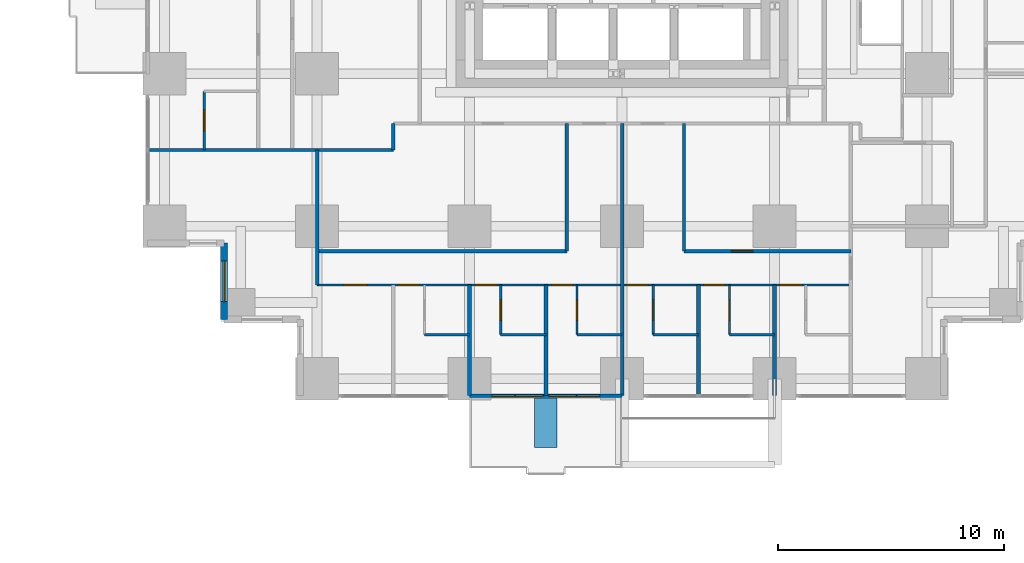
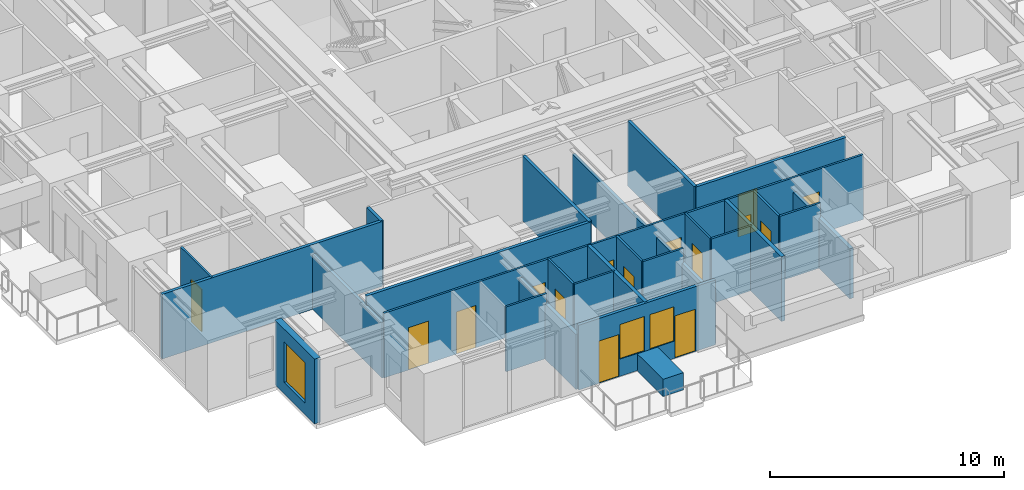
# One storey, part 8 of 14: 26 walls, 15 doors, 3 windows, 18 openings.
"""IFC4 building model written with IfcOpenShell, lengths in metres."""

from ifc_helpers import new_model, si_unit, direction, frame, frame_2d, origin, place, context, subcontext, project, spatial, rectangle, extrude, material, layer, layer_set, type_object, element, fill, save


model = new_model("IFC4")

# Units and contexts
model_context = context("Model", 3, precision=1e-05, world=origin(), true_north=direction((0.0, 1.0)))
body_context = subcontext(model_context, "Body", "Model", "MODEL_VIEW")
ifc_project = project(units=[si_unit("LENGTHUNIT", "METRE"), si_unit("AREAUNIT", "SQUARE_METRE"), si_unit("VOLUMEUNIT", "CUBIC_METRE"), si_unit("PLANEANGLEUNIT", "RADIAN"), si_unit("MASSUNIT", "GRAM", prefix="KILO")], contexts=[model_context])

# Site, building, storey
site_placement = place(None, origin())
site = spatial("IfcSite", under=ifc_project, at=site_placement, CompositionType="ELEMENT")
building_placement = place(site_placement, origin())
building = spatial("IfcBuilding", under=site, at=building_placement, Name="Nyansa Garden Tower", CompositionType="ELEMENT")
storey_placement = place(building_placement, frame((0.0, 0.0, 18.0)))
storey = spatial("IfcBuildingStorey", under=building, at=storey_placement, Name="L04", CompositionType="ELEMENT", Elevation=18.0)

# Walls
ifc_material_1 = material(Name="Dense blockwork, plastered both sides, 55 dB", Category="masonry")
ifc_layer_1 = layer(ifc_material_1, 0.175048828125)
ifc_layer_set_1 = layer_set([ifc_layer_1], Name="Acoustic party wall PW175")
wall_type_1 = type_object("IfcWallType", Name="Acoustic party wall PW175", PredefinedType="PARTITIONING", material=ifc_layer_set_1)
wall_1_placement = place(storey_placement, frame((13.5, -0.73388671875, 0.0), z_axis=(0.0, 0.0, 1.0), x_axis=(0.0, 1.0, 0.0)))
element("IfcWall", 1, at=wall_1_placement, inside=storey, type_object=wall_type_1, Name="Party wall", PredefinedType="PARTITIONING", context=body_context, shape_type="SweptSolid", body=[
    extrude(rectangle(XDim=4.8837890625, YDim=0.175048828125, at=frame_2d((2.44189453125, 0.0))), origin(), (0.0, 0.0, 1.0), 2.876953125),
])
for number, where, z_axis, x_axis, name in (
    (2, (16.875, -0.73388671875, 0.0), (0.0, 0.0, 1.0), (0.0, 1.0, 0.0), "Party wall"),
    (3, (23.625, -0.73388671875, 0.0), (0.0, 0.0, 1.0), (0.0, 1.0, 0.0), "Party wall"),
):
    element("IfcWall", number, at=place(storey_placement, frame(where, z_axis=z_axis, x_axis=x_axis)), inside=storey, type_object=wall_type_1, Name=name, PredefinedType="PARTITIONING", context=body_context, shape_type="SweptSolid", body=[
        extrude(rectangle(XDim=4.8837890625, YDim=0.175048828125, at=frame_2d((2.44189453125, 0.0))), origin(), (0.0, 0.0, 1.0), 3.375),
    ])
wall_2_placement = place(storey_placement, frame((27.0, -0.73388671875, 0.0), z_axis=(0.0, 0.0, 1.0), x_axis=(0.0, 1.0, 0.0)))
element("IfcWall", 4, at=wall_2_placement, inside=storey, type_object=wall_type_1, Name="Party wall", PredefinedType="PARTITIONING", context=body_context, shape_type="SweptSolid", body=[
    extrude(rectangle(XDim=4.8837890625, YDim=0.175048828125, at=frame_2d((2.44189453125, 0.0))), origin(), (0.0, 0.0, 1.0), 2.610107421875),
])

# Wall, openings, doors, windows
ifc_material_2 = material(Name="Black aluminium framed glazed screen", Category="aluminium")
ifc_layer_2 = layer(ifc_material_2, 0.14990234375)
ifc_layer_set_2 = layer_set([ifc_layer_2], Name="Balcony screen wall BW150")
wall_type_2 = type_object("IfcWallType", Name="Balcony screen wall BW150", PredefinedType="SOLIDWALL", material=ifc_layer_set_2)
wall_3_placement = place(storey_placement, frame((20.25, -0.75, 0.0), z_axis=(0.0, 0.0, 1.0), x_axis=(-1.0, 0.0, 0.0)))
wall_3 = element("IfcWall", 5, at=wall_3_placement, inside=storey, type_object=wall_type_2, Name="Glazed screen wall L04 S", PredefinedType="SOLIDWALL", context=body_context, shape_type="SweptSolid", body=[
    extrude(rectangle(XDim=6.75, YDim=0.14990234375, at=frame_2d((3.375, 0.0))), origin(), (0.0, 0.0, 1.0), 3.375),
])
opening_1_placement = place(wall_3_placement, frame((0.995849609375, 0.0, 0.0)))
opening_1 = element("IfcOpeningElement", 6, at=opening_1_placement, cuts=wall_3, Name="Opening D20", PredefinedType="OPENING", context=body_context, shape_type="SweptSolid", body=[
    extrude(rectangle(XDim=1.0, YDim=2.199951171875, at=frame_2d((0.5, 1.10009765625))), frame((0.0, 0.0849609375, 0.0), z_axis=(0.0, -1.0, 0.0), x_axis=(1.0, 0.0, 0.0)), (0.0, 0.0, 1.0), 0.169921875),
])
opening_2_placement = place(wall_3_placement, frame((2.041748046875, 0.0, 0.89990234375)))
opening_2 = element("IfcOpeningElement", 7, at=opening_2_placement, cuts=wall_3, Name="Opening W6", PredefinedType="OPENING", context=body_context, shape_type="SweptSolid", body=[
    extrude(rectangle(XDim=1.199951171875, YDim=1.800048828125, at=frame_2d((0.60009765625, 0.89990234375))), frame((0.0, 0.0849609375, 0.0), z_axis=(0.0, -1.0, 0.0), x_axis=(1.0, 0.0, 0.0)), (0.0, 0.0, 1.0), 0.169921875),
])
opening_3_placement = place(wall_3_placement, frame((4.754150390625, 0.0, 0.0)))
opening_3 = element("IfcOpeningElement", 8, at=opening_3_placement, cuts=wall_3, Name="Opening D20", PredefinedType="OPENING", context=body_context, shape_type="SweptSolid", body=[
    extrude(rectangle(XDim=1.0, YDim=2.199951171875, at=frame_2d((0.5, 1.10009765625))), frame((0.0, 0.0849609375, 0.0), z_axis=(0.0, -1.0, 0.0), x_axis=(1.0, 0.0, 0.0)), (0.0, 0.0, 1.0), 0.169921875),
])
opening_4_placement = place(wall_3_placement, frame((3.50830078125, 0.0, 0.89990234375)))
opening_4 = element("IfcOpeningElement", 9, at=opening_4_placement, cuts=wall_3, Name="Opening W6", PredefinedType="OPENING", context=body_context, shape_type="SweptSolid", body=[
    extrude(rectangle(XDim=1.199951171875, YDim=1.800048828125, at=frame_2d((0.60009765625, 0.89990234375))), frame((0.0, 0.0849609375, 0.0), z_axis=(0.0, -1.0, 0.0), x_axis=(1.0, 0.0, 0.0)), (0.0, 0.0, 1.0), 0.169921875),
])
ifc_material_3 = material(Name="Black aluminium framed glazed door", Category="aluminium")
door_type_1 = type_object("IfcDoorType", Name="Balcony door D20 1000x2200", OperationType="NOTDEFINED", PredefinedType="DOOR", material=ifc_material_3)
door_1_placement = place(opening_1_placement, origin())
door_1 = element("IfcDoor", 10, at=door_1_placement, inside=storey, type_object=door_type_1, Name="Balcony door L04", OperationType="SINGLE_SWING_LEFT", OverallHeight=2.199951171875, OverallWidth=1.0, PredefinedType="DOOR", context=body_context, shape_type="SweptSolid", body=[
    extrude(rectangle(XDim=1.0, YDim=2.199951171875, at=frame_2d((0.5, 1.10009765625))), frame((0.0, 0.02490234375, 0.0), z_axis=(0.0, -1.0, 0.0), x_axis=(1.0, 0.0, 0.0)), (0.0, 0.0, 1.0), 0.050048828125),
])
fill(opening_1, door_1)
door_2_placement = place(opening_3_placement, origin())
door_2 = element("IfcDoor", 11, at=door_2_placement, inside=storey, type_object=door_type_1, Name="Balcony door L04", OperationType="SINGLE_SWING_RIGHT", OverallHeight=2.199951171875, OverallWidth=1.0, PredefinedType="DOOR", context=body_context, shape_type="SweptSolid", body=[
    extrude(rectangle(XDim=1.0, YDim=2.199951171875, at=frame_2d((0.5, 1.10009765625))), frame((0.0, 0.02490234375, 0.0), z_axis=(0.0, -1.0, 0.0), x_axis=(1.0, 0.0, 0.0)), (0.0, 0.0, 1.0), 0.050048828125),
])
fill(opening_3, door_2)
ifc_material_4 = material(Name="Black aluminium frame, dark tinted double glazing", Category="aluminium")
window_type_1 = type_object("IfcWindowType", Name="Balcony window W6 1200x1800", PartitioningType="SINGLE_PANEL", PredefinedType="WINDOW", material=ifc_material_4)
window_1_placement = place(opening_2_placement, origin())
window_1 = element("IfcWindow", 12, at=window_1_placement, inside=storey, type_object=window_type_1, Name="Window L04", OverallHeight=1.800048828125, OverallWidth=1.199951171875, PartitioningType="SINGLE_PANEL", PredefinedType="WINDOW", context=body_context, shape_type="SweptSolid", body=[
    extrude(rectangle(XDim=1.199951171875, YDim=1.800048828125, at=frame_2d((0.60009765625, 0.89990234375))), frame((0.0, 0.030029296875, 0.0), z_axis=(0.0, -1.0, 0.0), x_axis=(1.0, 0.0, 0.0)), (0.0, 0.0, 1.0), 0.06005859375),
])
fill(opening_2, window_1)
window_2_placement = place(opening_4_placement, origin())
window_2 = element("IfcWindow", 13, at=window_2_placement, inside=storey, type_object=window_type_1, Name="Window L04", OverallHeight=1.800048828125, OverallWidth=1.199951171875, PartitioningType="SINGLE_PANEL", PredefinedType="WINDOW", context=body_context, shape_type="SweptSolid", body=[
    extrude(rectangle(XDim=1.199951171875, YDim=1.800048828125, at=frame_2d((0.60009765625, 0.89990234375))), frame((0.0, 0.030029296875, 0.0), z_axis=(0.0, -1.0, 0.0), x_axis=(1.0, 0.0, 0.0)), (0.0, 0.0, 1.0), 0.06005859375),
])
fill(opening_4, window_2)

# Walls
ifc_material_5 = material(Name="Blockwork, plastered both sides", Category="masonry")
ifc_layer_3 = layer(ifc_material_5, 0.14990234375)
ifc_layer_set_3 = layer_set([ifc_layer_3], Name="Partition PW150")
wall_type_3 = type_object("IfcWallType", Name="Partition PW150", PredefinedType="PARTITIONING", material=ifc_layer_set_3)
wall_4_placement = place(storey_placement, frame((-0.73388671875, 10.125, 0.0), z_axis=(0.0, 0.0, 1.0), x_axis=(1.0, 0.0, 0.0)))
element("IfcWall", 14, at=wall_4_placement, inside=storey, type_object=wall_type_3, Name="Partition", PredefinedType="PARTITIONING", context=body_context, shape_type="SweptSolid", body=[
    extrude(rectangle(XDim=10.85888671875, YDim=0.14990234375, at=frame_2d((5.429443359375, 0.0))), origin(), (0.0, 0.0, 1.0), 3.375),
])
wall_5_placement = place(storey_placement, frame((6.75, 4.14990234375, 0.0), z_axis=(0.0, 0.0, 1.0), x_axis=(0.0, 1.0, 0.0)))
element("IfcWall", 15, at=wall_5_placement, inside=storey, type_object=wall_type_3, Name="Partition", PredefinedType="PARTITIONING", context=body_context, shape_type="SweptSolid", body=[
    extrude(rectangle(XDim=5.97509765625, YDim=0.14990234375, at=frame_2d((2.987548828125, 0.0))), origin(), (0.0, 0.0, 1.0), 2.876953125),
])
wall_6_placement = place(storey_placement, frame((6.75, 5.64990234375, 0.0), z_axis=(0.0, 0.0, 1.0), x_axis=(1.0, 0.0, 0.0)))
element("IfcWall", 16, at=wall_6_placement, inside=storey, type_object=wall_type_3, Name="Partition", PredefinedType="PARTITIONING", context=body_context, shape_type="SweptSolid", body=[
    extrude(rectangle(XDim=11.050048828125, YDim=0.14990234375, at=frame_2d((5.52490234375, 0.0))), origin(), (0.0, 0.0, 1.0), 3.375),
])
wall_7_placement = place(storey_placement, frame((10.125, 10.125, 0.0), z_axis=(0.0, 0.0, 1.0), x_axis=(0.0, 1.0, 0.0)))
element("IfcWall", 17, at=wall_7_placement, inside=storey, type_object=wall_type_3, Name="Partition", PredefinedType="PARTITIONING", context=body_context, shape_type="SweptSolid", body=[
    extrude(rectangle(XDim=1.175048828125, YDim=0.14990234375, at=frame_2d((0.58740234375, 0.0))), origin(), (0.0, 0.0, 1.0), 3.375),
])
wall_8_placement = place(storey_placement, frame((17.800048828125, 5.64990234375, 0.0), z_axis=(0.0, 0.0, 1.0), x_axis=(0.0, 1.0, 0.0)))
element("IfcWall", 18, at=wall_8_placement, inside=storey, type_object=wall_type_3, Name="Partition", PredefinedType="PARTITIONING", context=body_context, shape_type="SweptSolid", body=[
    extrude(rectangle(XDim=5.650146484375, YDim=0.14990234375, at=frame_2d((2.8251953125, 0.0))), origin(), (0.0, 0.0, 1.0), 3.375),
])
wall_9_placement = place(storey_placement, frame((20.25, -0.73388671875, 0.0), z_axis=(0.0, 0.0, 1.0), x_axis=(0.0, 1.0, 0.0)))
element("IfcWall", 19, at=wall_9_placement, inside=storey, type_object=wall_type_3, Name="Partition", PredefinedType="PARTITIONING", context=body_context, shape_type="SweptSolid", body=[
    extrude(rectangle(XDim=12.033935546875, YDim=0.14990234375, at=frame_2d((6.01708984375, 0.0))), origin(), (0.0, 0.0, 1.0), 2.610107421875),
])

# Wall, opening, door
wall_10_placement = place(storey_placement, frame((22.987548828125, 5.64990234375, 0.0), z_axis=(0.0, 0.0, 1.0), x_axis=(1.0, 0.0, 0.0)))
wall_10 = element("IfcWall", 20, at=wall_10_placement, inside=storey, type_object=wall_type_3, Name="Partition", PredefinedType="PARTITIONING", context=body_context, shape_type="SweptSolid", body=[
    extrude(rectangle(XDim=7.387451171875, YDim=0.14990234375, at=frame_2d((3.69384765625, 0.0))), origin(), (0.0, 0.0, 1.0), 3.375),
])
opening_5_placement = place(wall_10_placement, frame((2.10009765625, 0.0, 0.0)))
opening_5 = element("IfcOpeningElement", 21, at=opening_5_placement, cuts=wall_10, Name="Opening D01", PredefinedType="OPENING", context=body_context, shape_type="SweptSolid", body=[
    extrude(rectangle(XDim=0.949951171875, YDim=2.199951171875, at=frame_2d((0.47509765625, 1.10009765625))), frame((0.0, 0.0849609375, 0.0), z_axis=(0.0, -1.0, 0.0), x_axis=(1.0, 0.0, 0.0)), (0.0, 0.0, 1.0), 0.169921875),
])
ifc_material_6 = material(Name="Timber flush door, 30 minute fire resisting", Category="wood")
door_type_2 = type_object("IfcDoorType", Name="Bedroom door D01 950x2200", OperationType="SINGLE_SWING_LEFT", PredefinedType="DOOR", material=ifc_material_6)
door_3_placement = place(opening_5_placement, origin())
door_3 = element("IfcDoor", 22, at=door_3_placement, inside=storey, type_object=door_type_2, Name="Door L04-033", OperationType="SINGLE_SWING_LEFT", OverallHeight=2.199951171875, OverallWidth=0.949951171875, PredefinedType="DOOR", context=body_context, shape_type="SweptSolid", body=[
    extrude(rectangle(XDim=0.949951171875, YDim=2.199951171875, at=frame_2d((0.47509765625, 1.10009765625))), frame((0.0, 0.02490234375, 0.0), z_axis=(0.0, -1.0, 0.0), x_axis=(1.0, 0.0, 0.0)), (0.0, 0.0, 1.0), 0.050048828125),
])
fill(opening_5, door_3)

# Wall
wall_11_placement = place(storey_placement, frame((22.988037109375, 5.64990234375, 0.0), z_axis=(0.0, 0.0, 1.0), x_axis=(0.0, 1.0, 0.0)))
element("IfcWall", 23, at=wall_11_placement, inside=storey, type_object=wall_type_3, Name="Partition", PredefinedType="PARTITIONING", context=body_context, shape_type="SweptSolid", body=[
    extrude(rectangle(XDim=5.650146484375, YDim=0.14990234375, at=frame_2d((2.8251953125, 0.0))), origin(), (0.0, 0.0, 1.0), 3.375),
])

# Wall, opening, window
ifc_material_7 = material(Name="Turquoise glazed tile on concrete blockwork", Category="masonry")
ifc_layer_4 = layer(ifc_material_7, 0.300048828125)
ifc_layer_set_4 = layer_set([ifc_layer_4], Name="Tiled corner wall TW300")
wall_type_4 = type_object("IfcWallType", Name="Tiled corner wall TW300", PredefinedType="SOLIDWALL", material=ifc_layer_set_4)
wall_12_placement = place(storey_placement, frame((2.625, 6.0, 0.0), z_axis=(0.0, 0.0, 1.0), x_axis=(0.0, -1.0, 0.0)))
wall_12 = element("IfcWall", 24, at=wall_12_placement, inside=storey, type_object=wall_type_4, Name="Tiled corner wall L04", PredefinedType="SOLIDWALL", context=body_context, shape_type="SweptSolid", body=[
    extrude(rectangle(XDim=3.375, YDim=0.300048828125, at=frame_2d((1.6875, 0.0))), origin(), (0.0, 0.0, 1.0), 3.375),
])
opening_6_placement = place(wall_12_placement, frame((0.78759765625, 0.0, 0.60009765625)))
opening_6 = element("IfcOpeningElement", 25, at=opening_6_placement, cuts=wall_12, Name="Opening W2", PredefinedType="OPENING", context=body_context, shape_type="SweptSolid", body=[
    extrude(rectangle(XDim=1.800048828125, YDim=2.10009765625, at=frame_2d((0.89990234375, 1.050048828125))), frame((0.0, 0.159912109375, 0.0), z_axis=(0.0, -1.0, 0.0), x_axis=(1.0, 0.0, 0.0)), (0.0, 0.0, 1.0), 0.320068359375),
])
ifc_material_8 = material(Name="Black aluminium frame, dark tinted double glazing", Category="aluminium")
window_type_2 = type_object("IfcWindowType", Name="Window W2 1800x2100", PartitioningType="SINGLE_PANEL", PredefinedType="WINDOW", material=ifc_material_8)
window_3_placement = place(opening_6_placement, origin())
window_3 = element("IfcWindow", 26, at=window_3_placement, inside=storey, type_object=window_type_2, Name="Corner window L04", OverallHeight=2.10009765625, OverallWidth=1.800048828125, PartitioningType="SINGLE_PANEL", PredefinedType="WINDOW", context=body_context, shape_type="SweptSolid", body=[
    extrude(rectangle(XDim=1.800048828125, YDim=2.10009765625, at=frame_2d((0.89990234375, 1.050048828125))), frame((0.0, 0.030029296875, 0.0), z_axis=(0.0, -1.0, 0.0), x_axis=(1.0, 0.0, 0.0)), (0.0, 0.0, 1.0), 0.06005859375),
])
fill(opening_6, window_3)

# Wall
ifc_material_9 = material(Name="Concrete C40/50 planter, waterproofed", Category="concrete")
ifc_layer_5 = layer(ifc_material_9, 1.0)
ifc_layer_set_5 = layer_set([ifc_layer_5], Name="Tree planter TP1")
wall_type_5 = type_object("IfcWallType", Name="Tree planter TP1", PredefinedType="USERDEFINED", material=ifc_layer_set_5)
wall_13_placement = place(storey_placement, frame((16.875, -0.85009765625, 0.0), z_axis=(0.0, 0.0, 1.0), x_axis=(0.0, -1.0, 0.0)))
element("IfcWall", 27, at=wall_13_placement, inside=storey, type_object=wall_type_5, Name="Tree planter L04", ObjectType="TREE PLANTER", PredefinedType="USERDEFINED", context=body_context, shape_type="SweptSolid", body=[
    extrude(rectangle(XDim=2.199951171875, YDim=1.0, at=frame_2d((1.10009765625, 0.0))), origin(), (0.0, 0.0, 1.0), 0.89990234375),
])

# Wall, opening, door
ifc_material_10 = material(Name="Moisture resistant board on steel studs, tiled", Category="steel")
ifc_layer_6 = layer(ifc_material_10, 0.10009765625)
ifc_layer_set_6 = layer_set([ifc_layer_6], Name="Wet wall PW100")
wall_type_6 = type_object("IfcWallType", Name="Wet wall PW100", PredefinedType="PARTITIONING", material=ifc_layer_set_6)
wall_14_placement = place(storey_placement, frame((1.75, 10.125, 0.0), z_axis=(0.0, 0.0, 1.0), x_axis=(0.0, 1.0, 0.0)))
wall_14 = element("IfcWall", 28, at=wall_14_placement, inside=storey, type_object=wall_type_6, Name="Wet wall", PredefinedType="PARTITIONING", context=body_context, shape_type="SweptSolid", body=[
    extrude(rectangle(XDim=2.60009765625, YDim=0.10009765625, at=frame_2d((1.300048828125, 0.0))), origin(), (0.0, 0.0, 1.0), 3.375),
])
opening_7_placement = place(wall_14_placement, frame((0.85009765625, 0.0, 0.0)))
opening_7 = element("IfcOpeningElement", 29, at=opening_7_placement, cuts=wall_14, Name="Opening D02", PredefinedType="OPENING", context=body_context, shape_type="SweptSolid", body=[
    extrude(rectangle(XDim=0.89990234375, YDim=2.199951171875, at=frame_2d((0.449951171875, 1.10009765625))), frame((0.0, 0.06005859375, 0.0), z_axis=(0.0, -1.0, 0.0), x_axis=(1.0, 0.0, 0.0)), (0.0, 0.0, 1.0), 0.1201171875),
])
ifc_material_11 = material(Name="Timber flush door", Category="wood")
door_type_3 = type_object("IfcDoorType", Name="En-suite door D02 900x2200", OperationType="SINGLE_SWING_RIGHT", PredefinedType="DOOR", material=ifc_material_11)
door_4_placement = place(opening_7_placement, origin())
door_4 = element("IfcDoor", 30, at=door_4_placement, inside=storey, type_object=door_type_3, Name="Door L04-060", OperationType="SINGLE_SWING_RIGHT", OverallHeight=2.199951171875, OverallWidth=0.89990234375, PredefinedType="DOOR", context=body_context, shape_type="SweptSolid", body=[
    extrude(rectangle(XDim=0.89990234375, YDim=2.199951171875, at=frame_2d((0.449951171875, 1.10009765625))), frame((0.0, 0.02490234375, 0.0), z_axis=(0.0, -1.0, 0.0), x_axis=(1.0, 0.0, 0.0)), (0.0, 0.0, 1.0), 0.050048828125),
])
fill(opening_7, door_4)

# Wall, openings, doors
wall_15_placement = place(storey_placement, frame((6.75, 4.14990234375, 0.0), z_axis=(0.0, 0.0, 1.0), x_axis=(1.0, 0.0, 0.0)))
wall_15 = element("IfcWall", 31, at=wall_15_placement, inside=storey, type_object=wall_type_6, Name="Wet wall", PredefinedType="PARTITIONING", context=body_context, shape_type="SweptSolid", body=[
    extrude(rectangle(XDim=23.625, YDim=0.10009765625, at=frame_2d((11.8125, 0.0))), origin(), (0.0, 0.0, 1.0), 3.375),
])
opening_8_placement = place(wall_15_placement, frame((1.199951171875, 0.0, 0.0)))
opening_8 = element("IfcOpeningElement", 32, at=opening_8_placement, cuts=wall_15, Name="Opening D03", PredefinedType="OPENING", context=body_context, shape_type="SweptSolid", body=[
    extrude(rectangle(XDim=1.0, YDim=2.199951171875, at=frame_2d((0.5, 1.10009765625))), frame((0.0, 0.06005859375, 0.0), z_axis=(0.0, -1.0, 0.0), x_axis=(1.0, 0.0, 0.0)), (0.0, 0.0, 1.0), 0.1201171875),
])
opening_9_placement = place(wall_15_placement, frame((3.574951171875, 0.0, 0.0)))
opening_9 = element("IfcOpeningElement", 33, at=opening_9_placement, cuts=wall_15, Name="Opening D01", PredefinedType="OPENING", context=body_context, shape_type="SweptSolid", body=[
    extrude(rectangle(XDim=0.949951171875, YDim=2.199951171875, at=frame_2d((0.47509765625, 1.10009765625))), frame((0.0, 0.06005859375, 0.0), z_axis=(0.0, -1.0, 0.0), x_axis=(1.0, 0.0, 0.0)), (0.0, 0.0, 1.0), 0.1201171875),
])
opening_10_placement = place(wall_15_placement, frame((7.0, 0.0, 0.0)))
opening_10 = element("IfcOpeningElement", 34, at=opening_10_placement, cuts=wall_15, Name="Opening D01", PredefinedType="OPENING", context=body_context, shape_type="SweptSolid", body=[
    extrude(rectangle(XDim=0.949951171875, YDim=2.199951171875, at=frame_2d((0.47509765625, 1.10009765625))), frame((0.0, 0.06005859375, 0.0), z_axis=(0.0, -1.0, 0.0), x_axis=(1.0, 0.0, 0.0)), (0.0, 0.0, 1.0), 0.1201171875),
])
opening_11_placement = place(wall_15_placement, frame((10.375, 0.0, 0.0)))
opening_11 = element("IfcOpeningElement", 35, at=opening_11_placement, cuts=wall_15, Name="Opening D01", PredefinedType="OPENING", context=body_context, shape_type="SweptSolid", body=[
    extrude(rectangle(XDim=0.949951171875, YDim=2.199951171875, at=frame_2d((0.47509765625, 1.10009765625))), frame((0.0, 0.06005859375, 0.0), z_axis=(0.0, -1.0, 0.0), x_axis=(1.0, 0.0, 0.0)), (0.0, 0.0, 1.0), 0.1201171875),
])
opening_12_placement = place(wall_15_placement, frame((13.699951171875, 0.0, 0.0)))
opening_12 = element("IfcOpeningElement", 36, at=opening_12_placement, cuts=wall_15, Name="Opening D14", PredefinedType="OPENING", context=body_context, shape_type="SweptSolid", body=[
    extrude(rectangle(XDim=0.949951171875, YDim=2.199951171875, at=frame_2d((0.47509765625, 1.10009765625))), frame((0.0, 0.06005859375, 0.0), z_axis=(0.0, -1.0, 0.0), x_axis=(1.0, 0.0, 0.0)), (0.0, 0.0, 1.0), 0.1201171875),
])
opening_13_placement = place(wall_15_placement, frame((17.125, 0.0, 0.0)))
opening_13 = element("IfcOpeningElement", 37, at=opening_13_placement, cuts=wall_15, Name="Opening D14", PredefinedType="OPENING", context=body_context, shape_type="SweptSolid", body=[
    extrude(rectangle(XDim=0.949951171875, YDim=2.199951171875, at=frame_2d((0.47509765625, 1.10009765625))), frame((0.0, 0.06005859375, 0.0), z_axis=(0.0, -1.0, 0.0), x_axis=(1.0, 0.0, 0.0)), (0.0, 0.0, 1.0), 0.1201171875),
])
opening_14_placement = place(wall_15_placement, frame((20.5, 0.0, 0.0)))
opening_14 = element("IfcOpeningElement", 38, at=opening_14_placement, cuts=wall_15, Name="Opening D14", PredefinedType="OPENING", context=body_context, shape_type="SweptSolid", body=[
    extrude(rectangle(XDim=0.949951171875, YDim=2.199951171875, at=frame_2d((0.47509765625, 1.10009765625))), frame((0.0, 0.06005859375, 0.0), z_axis=(0.0, -1.0, 0.0), x_axis=(1.0, 0.0, 0.0)), (0.0, 0.0, 1.0), 0.1201171875),
])
door_5_placement = place(opening_9_placement, origin())
door_5 = element("IfcDoor", 39, at=door_5_placement, inside=storey, type_object=door_type_2, Name="Door L04-018", OperationType="SINGLE_SWING_LEFT", OverallHeight=2.199951171875, OverallWidth=0.949951171875, PredefinedType="DOOR", context=body_context, shape_type="SweptSolid", body=[
    extrude(rectangle(XDim=0.949951171875, YDim=2.199951171875, at=frame_2d((0.47509765625, 1.10009765625))), frame((0.0, 0.02490234375, 0.0), z_axis=(0.0, -1.0, 0.0), x_axis=(1.0, 0.0, 0.0)), (0.0, 0.0, 1.0), 0.050048828125),
])
fill(opening_9, door_5)
door_6_placement = place(opening_10_placement, origin())
door_6 = element("IfcDoor", 40, at=door_6_placement, inside=storey, type_object=door_type_2, Name="Door L04-020", OperationType="SINGLE_SWING_LEFT", OverallHeight=2.199951171875, OverallWidth=0.949951171875, PredefinedType="DOOR", context=body_context, shape_type="SweptSolid", body=[
    extrude(rectangle(XDim=0.949951171875, YDim=2.199951171875, at=frame_2d((0.47509765625, 1.10009765625))), frame((0.0, 0.02490234375, 0.0), z_axis=(0.0, -1.0, 0.0), x_axis=(1.0, 0.0, 0.0)), (0.0, 0.0, 1.0), 0.050048828125),
])
fill(opening_10, door_6)
door_7_placement = place(opening_11_placement, origin())
door_7 = element("IfcDoor", 41, at=door_7_placement, inside=storey, type_object=door_type_2, Name="Door L04-022", OperationType="SINGLE_SWING_LEFT", OverallHeight=2.199951171875, OverallWidth=0.949951171875, PredefinedType="DOOR", context=body_context, shape_type="SweptSolid", body=[
    extrude(rectangle(XDim=0.949951171875, YDim=2.199951171875, at=frame_2d((0.47509765625, 1.10009765625))), frame((0.0, 0.02490234375, 0.0), z_axis=(0.0, -1.0, 0.0), x_axis=(1.0, 0.0, 0.0)), (0.0, 0.0, 1.0), 0.050048828125),
])
fill(opening_11, door_7)
ifc_material_12 = material(Name="Timber flush door, 60 minute fire resisting", Category="wood")
door_type_4 = type_object("IfcDoorType", Name="Cluster entrance door D03 1000x2200", OperationType="SINGLE_SWING_LEFT", PredefinedType="DOOR", material=ifc_material_12)
door_8_placement = place(opening_8_placement, origin())
door_8 = element("IfcDoor", 42, at=door_8_placement, inside=storey, type_object=door_type_4, Name="Door L04-017", OperationType="SINGLE_SWING_LEFT", OverallHeight=2.199951171875, OverallWidth=1.0, PredefinedType="DOOR", context=body_context, shape_type="SweptSolid", body=[
    extrude(rectangle(XDim=1.0, YDim=2.199951171875, at=frame_2d((0.5, 1.10009765625))), frame((0.0, 0.02490234375, 0.0), z_axis=(0.0, -1.0, 0.0), x_axis=(1.0, 0.0, 0.0)), (0.0, 0.0, 1.0), 0.050048828125),
])
fill(opening_8, door_8)
ifc_material_13 = material(Name="Timber flush door, 60 minute fire resisting, self-closing", Category="wood")
door_type_5 = type_object("IfcDoorType", Name="Studio entrance door D14 950x2200", OperationType="SINGLE_SWING_LEFT", PredefinedType="DOOR", material=ifc_material_13)
door_9_placement = place(opening_12_placement, origin())
door_9 = element("IfcDoor", 43, at=door_9_placement, inside=storey, type_object=door_type_5, Name="Door L04-025", OperationType="SINGLE_SWING_LEFT", OverallHeight=2.199951171875, OverallWidth=0.949951171875, PredefinedType="DOOR", context=body_context, shape_type="SweptSolid", body=[
    extrude(rectangle(XDim=0.949951171875, YDim=2.199951171875, at=frame_2d((0.47509765625, 1.10009765625))), frame((0.0, 0.02490234375, 0.0), z_axis=(0.0, -1.0, 0.0), x_axis=(1.0, 0.0, 0.0)), (0.0, 0.0, 1.0), 0.050048828125),
])
fill(opening_12, door_9)
door_10_placement = place(opening_13_placement, origin())
door_10 = element("IfcDoor", 44, at=door_10_placement, inside=storey, type_object=door_type_5, Name="Door L04-027", OperationType="SINGLE_SWING_LEFT", OverallHeight=2.199951171875, OverallWidth=0.949951171875, PredefinedType="DOOR", context=body_context, shape_type="SweptSolid", body=[
    extrude(rectangle(XDim=0.949951171875, YDim=2.199951171875, at=frame_2d((0.47509765625, 1.10009765625))), frame((0.0, 0.02490234375, 0.0), z_axis=(0.0, -1.0, 0.0), x_axis=(1.0, 0.0, 0.0)), (0.0, 0.0, 1.0), 0.050048828125),
])
fill(opening_13, door_10)
door_11_placement = place(opening_14_placement, origin())
door_11 = element("IfcDoor", 45, at=door_11_placement, inside=storey, type_object=door_type_5, Name="Door L04-029", OperationType="SINGLE_SWING_LEFT", OverallHeight=2.199951171875, OverallWidth=0.949951171875, PredefinedType="DOOR", context=body_context, shape_type="SweptSolid", body=[
    extrude(rectangle(XDim=0.949951171875, YDim=2.199951171875, at=frame_2d((0.47509765625, 1.10009765625))), frame((0.0, 0.02490234375, 0.0), z_axis=(0.0, -1.0, 0.0), x_axis=(1.0, 0.0, 0.0)), (0.0, 0.0, 1.0), 0.050048828125),
])
fill(opening_14, door_11)

# Wall
wall_16_placement = place(storey_placement, frame((11.5, 1.949951171875, 0.0), z_axis=(0.0, 0.0, 1.0), x_axis=(1.0, 0.0, 0.0)))
element("IfcWall", 46, at=wall_16_placement, inside=storey, type_object=wall_type_6, Name="Wet wall", PredefinedType="PARTITIONING", context=body_context, shape_type="SweptSolid", body=[
    extrude(rectangle(XDim=2.0, YDim=0.10009765625, at=frame_2d((1.0, 0.0))), origin(), (0.0, 0.0, 1.0), 3.375),
])

# Wall, opening, door
wall_17_placement = place(storey_placement, frame((14.875, 1.949951171875, 0.0), z_axis=(0.0, 0.0, 1.0), x_axis=(0.0, 1.0, 0.0)))
wall_17 = element("IfcWall", 47, at=wall_17_placement, inside=storey, type_object=wall_type_6, Name="Wet wall", PredefinedType="PARTITIONING", context=body_context, shape_type="SweptSolid", body=[
    extrude(rectangle(XDim=2.199951171875, YDim=0.10009765625, at=frame_2d((1.10009765625, 0.0))), origin(), (0.0, 0.0, 1.0), 3.375),
])
opening_15_placement = place(wall_17_placement, frame((0.64990234375, 0.0, 0.0)))
opening_15 = element("IfcOpeningElement", 48, at=opening_15_placement, cuts=wall_17, Name="Opening D02", PredefinedType="OPENING", context=body_context, shape_type="SweptSolid", body=[
    extrude(rectangle(XDim=0.89990234375, YDim=2.199951171875, at=frame_2d((0.449951171875, 1.10009765625))), frame((0.0, 0.06005859375, 0.0), z_axis=(0.0, -1.0, 0.0), x_axis=(1.0, 0.0, 0.0)), (0.0, 0.0, 1.0), 0.1201171875),
])
door_12_placement = place(opening_15_placement, origin())
door_12 = element("IfcDoor", 49, at=door_12_placement, inside=storey, type_object=door_type_3, Name="Door L04-021", OperationType="SINGLE_SWING_RIGHT", OverallHeight=2.199951171875, OverallWidth=0.89990234375, PredefinedType="DOOR", context=body_context, shape_type="SweptSolid", body=[
    extrude(rectangle(XDim=0.89990234375, YDim=2.199951171875, at=frame_2d((0.449951171875, 1.10009765625))), frame((0.0, 0.02490234375, 0.0), z_axis=(0.0, -1.0, 0.0), x_axis=(1.0, 0.0, 0.0)), (0.0, 0.0, 1.0), 0.050048828125),
])
fill(opening_15, door_12)

# Wall
wall_18_placement = place(storey_placement, frame((14.875, 1.949951171875, 0.0), z_axis=(0.0, 0.0, 1.0), x_axis=(1.0, 0.0, 0.0)))
element("IfcWall", 50, at=wall_18_placement, inside=storey, type_object=wall_type_6, Name="Wet wall", PredefinedType="PARTITIONING", context=body_context, shape_type="SweptSolid", body=[
    extrude(rectangle(XDim=2.0, YDim=0.10009765625, at=frame_2d((1.0, 0.0))), origin(), (0.0, 0.0, 1.0), 3.375),
])

# Wall, opening, door
wall_19_placement = place(storey_placement, frame((18.25, 1.949951171875, 0.0), z_axis=(0.0, 0.0, 1.0), x_axis=(0.0, 1.0, 0.0)))
wall_19 = element("IfcWall", 51, at=wall_19_placement, inside=storey, type_object=wall_type_6, Name="Wet wall", PredefinedType="PARTITIONING", context=body_context, shape_type="SweptSolid", body=[
    extrude(rectangle(XDim=2.199951171875, YDim=0.10009765625, at=frame_2d((1.10009765625, 0.0))), origin(), (0.0, 0.0, 1.0), 3.375),
])
opening_16_placement = place(wall_19_placement, frame((0.64990234375, 0.0, 0.0)))
opening_16 = element("IfcOpeningElement", 52, at=opening_16_placement, cuts=wall_19, Name="Opening D02", PredefinedType="OPENING", context=body_context, shape_type="SweptSolid", body=[
    extrude(rectangle(XDim=0.89990234375, YDim=2.199951171875, at=frame_2d((0.449951171875, 1.10009765625))), frame((0.0, 0.06005859375, 0.0), z_axis=(0.0, -1.0, 0.0), x_axis=(1.0, 0.0, 0.0)), (0.0, 0.0, 1.0), 0.1201171875),
])
door_13_placement = place(opening_16_placement, origin())
door_13 = element("IfcDoor", 53, at=door_13_placement, inside=storey, type_object=door_type_3, Name="Door L04-023", OperationType="SINGLE_SWING_RIGHT", OverallHeight=2.199951171875, OverallWidth=0.89990234375, PredefinedType="DOOR", context=body_context, shape_type="SweptSolid", body=[
    extrude(rectangle(XDim=0.89990234375, YDim=2.199951171875, at=frame_2d((0.449951171875, 1.10009765625))), frame((0.0, 0.02490234375, 0.0), z_axis=(0.0, -1.0, 0.0), x_axis=(1.0, 0.0, 0.0)), (0.0, 0.0, 1.0), 0.050048828125),
])
fill(opening_16, door_13)

# Wall
wall_20_placement = place(storey_placement, frame((18.25, 1.949951171875, 0.0), z_axis=(0.0, 0.0, 1.0), x_axis=(1.0, 0.0, 0.0)))
element("IfcWall", 54, at=wall_20_placement, inside=storey, type_object=wall_type_6, Name="Wet wall", PredefinedType="PARTITIONING", context=body_context, shape_type="SweptSolid", body=[
    extrude(rectangle(XDim=2.0, YDim=0.10009765625, at=frame_2d((1.0, 0.0))), origin(), (0.0, 0.0, 1.0), 3.375),
])

# Wall, opening, door
wall_21_placement = place(storey_placement, frame((21.625, 1.949951171875, 0.0), z_axis=(0.0, 0.0, 1.0), x_axis=(0.0, 1.0, 0.0)))
wall_21 = element("IfcWall", 55, at=wall_21_placement, inside=storey, type_object=wall_type_6, Name="Wet wall", PredefinedType="PARTITIONING", context=body_context, shape_type="SweptSolid", body=[
    extrude(rectangle(XDim=2.199951171875, YDim=0.10009765625, at=frame_2d((1.10009765625, 0.0))), origin(), (0.0, 0.0, 1.0), 3.375),
])
opening_17_placement = place(wall_21_placement, frame((0.64990234375, 0.0, 0.0)))
opening_17 = element("IfcOpeningElement", 56, at=opening_17_placement, cuts=wall_21, Name="Opening D02", PredefinedType="OPENING", context=body_context, shape_type="SweptSolid", body=[
    extrude(rectangle(XDim=0.89990234375, YDim=2.199951171875, at=frame_2d((0.449951171875, 1.10009765625))), frame((0.0, 0.06005859375, 0.0), z_axis=(0.0, -1.0, 0.0), x_axis=(1.0, 0.0, 0.0)), (0.0, 0.0, 1.0), 0.1201171875),
])
door_14_placement = place(opening_17_placement, origin())
door_14 = element("IfcDoor", 57, at=door_14_placement, inside=storey, type_object=door_type_3, Name="Door L04-026", OperationType="SINGLE_SWING_RIGHT", OverallHeight=2.199951171875, OverallWidth=0.89990234375, PredefinedType="DOOR", context=body_context, shape_type="SweptSolid", body=[
    extrude(rectangle(XDim=0.89990234375, YDim=2.199951171875, at=frame_2d((0.449951171875, 1.10009765625))), frame((0.0, 0.02490234375, 0.0), z_axis=(0.0, -1.0, 0.0), x_axis=(1.0, 0.0, 0.0)), (0.0, 0.0, 1.0), 0.050048828125),
])
fill(opening_17, door_14)

# Wall
wall_22_placement = place(storey_placement, frame((21.625, 1.949951171875, 0.0), z_axis=(0.0, 0.0, 1.0), x_axis=(1.0, 0.0, 0.0)))
element("IfcWall", 58, at=wall_22_placement, inside=storey, type_object=wall_type_6, Name="Wet wall", PredefinedType="PARTITIONING", context=body_context, shape_type="SweptSolid", body=[
    extrude(rectangle(XDim=2.0, YDim=0.10009765625, at=frame_2d((1.0, 0.0))), origin(), (0.0, 0.0, 1.0), 3.375),
])

# Wall, opening, door
wall_23_placement = place(storey_placement, frame((25.0, 1.949951171875, 0.0), z_axis=(0.0, 0.0, 1.0), x_axis=(0.0, 1.0, 0.0)))
wall_23 = element("IfcWall", 59, at=wall_23_placement, inside=storey, type_object=wall_type_6, Name="Wet wall", PredefinedType="PARTITIONING", context=body_context, shape_type="SweptSolid", body=[
    extrude(rectangle(XDim=2.199951171875, YDim=0.10009765625, at=frame_2d((1.10009765625, 0.0))), origin(), (0.0, 0.0, 1.0), 3.375),
])
opening_18_placement = place(wall_23_placement, frame((0.64990234375, 0.0, 0.0)))
opening_18 = element("IfcOpeningElement", 60, at=opening_18_placement, cuts=wall_23, Name="Opening D02", PredefinedType="OPENING", context=body_context, shape_type="SweptSolid", body=[
    extrude(rectangle(XDim=0.89990234375, YDim=2.199951171875, at=frame_2d((0.449951171875, 1.10009765625))), frame((0.0, 0.06005859375, 0.0), z_axis=(0.0, -1.0, 0.0), x_axis=(1.0, 0.0, 0.0)), (0.0, 0.0, 1.0), 0.1201171875),
])
door_15_placement = place(opening_18_placement, origin())
door_15 = element("IfcDoor", 61, at=door_15_placement, inside=storey, type_object=door_type_3, Name="Door L04-028", OperationType="SINGLE_SWING_RIGHT", OverallHeight=2.199951171875, OverallWidth=0.89990234375, PredefinedType="DOOR", context=body_context, shape_type="SweptSolid", body=[
    extrude(rectangle(XDim=0.89990234375, YDim=2.199951171875, at=frame_2d((0.449951171875, 1.10009765625))), frame((0.0, 0.02490234375, 0.0), z_axis=(0.0, -1.0, 0.0), x_axis=(1.0, 0.0, 0.0)), (0.0, 0.0, 1.0), 0.050048828125),
])
fill(opening_18, door_15)

# Wall
wall_24_placement = place(storey_placement, frame((25.0, 1.949951171875, 0.0), z_axis=(0.0, 0.0, 1.0), x_axis=(1.0, 0.0, 0.0)))
element("IfcWall", 62, at=wall_24_placement, inside=storey, type_object=wall_type_6, Name="Wet wall", PredefinedType="PARTITIONING", context=body_context, shape_type="SweptSolid", body=[
    extrude(rectangle(XDim=2.0, YDim=0.10009765625, at=frame_2d((1.0, 0.0))), origin(), (0.0, 0.0, 1.0), 3.375),
])

save(model, "model.ifc")
